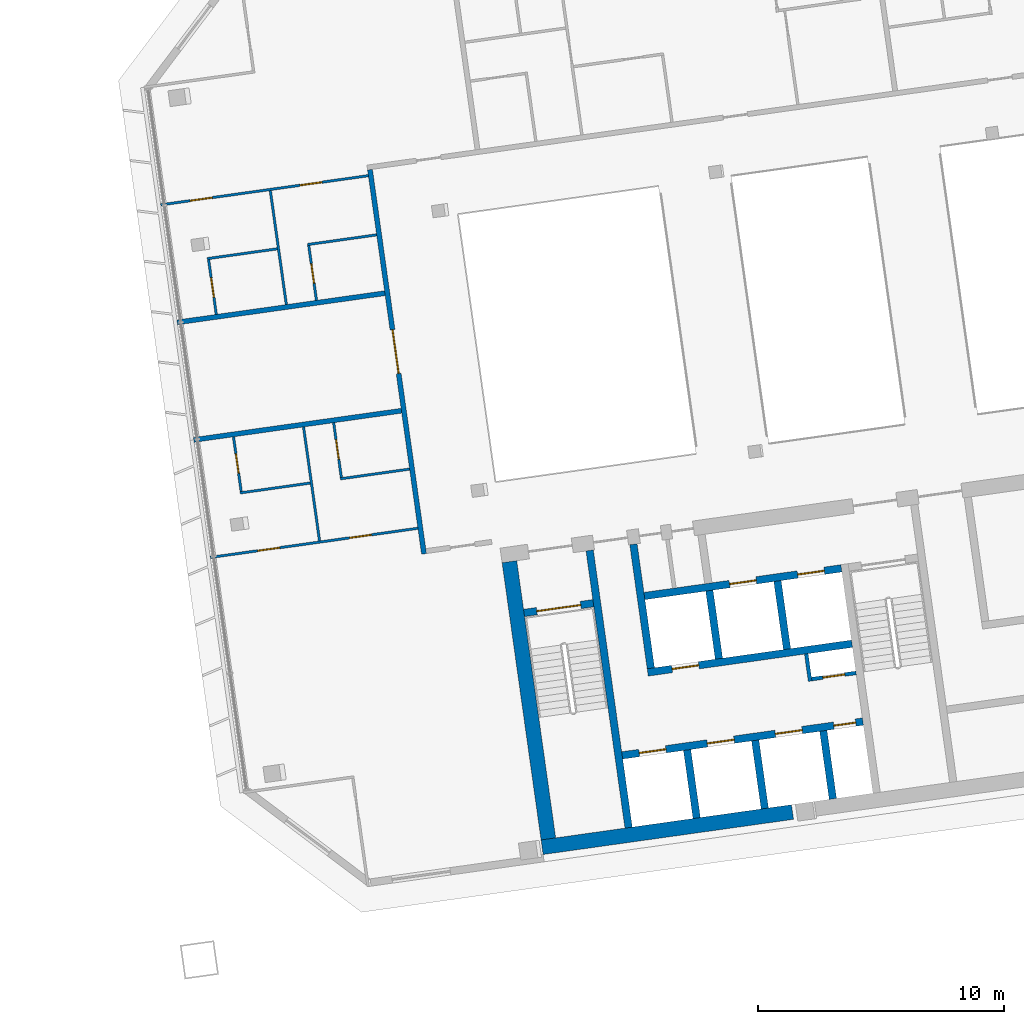
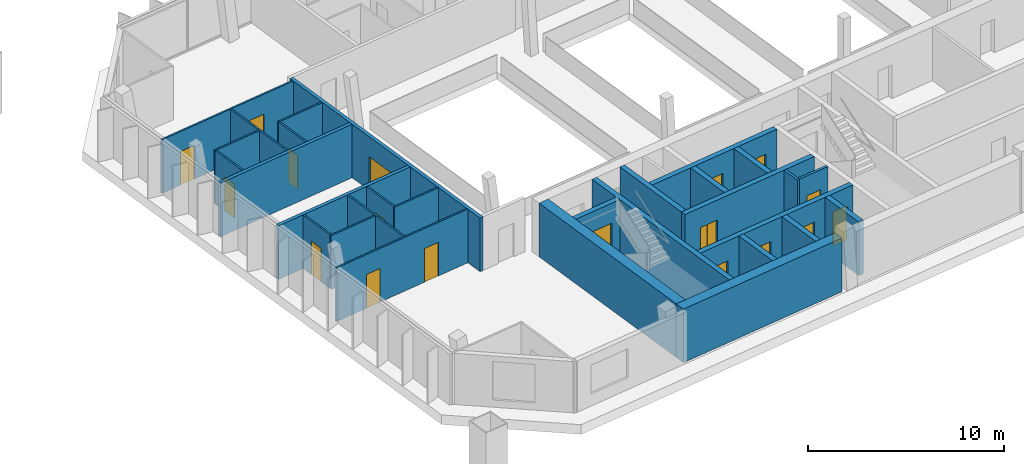
# One storey, part 19 of 26: 30 walls, 18 doors, 18 openings.
"""IFC4 building model written with IfcOpenShell, lengths in metres."""

import ifcopenshell
import ifcopenshell.guid

model = None  # the IFC model being written
_history = None  # IfcOwnerHistory: only IFC2X3 demands one
_inside = {}  # id of a spatial element -> (the spatial element, [elements in it])
_under = {}  # id of a project, library or spatial element -> (it, [spatial elements below it])
_declared = {}  # id of a project -> (the project, [libraries it declares])
_typed = {}  # id of a type object -> (the type object, [elements of that type])
_made_of = {}  # id of a material, layer set ... -> (it, [elements and type objects made of it])


def new_model(schema):
    """Start an empty IFC model of exactly this schema.

    Asked for "IFC4X3", IfcOpenShell would pick the latest addendum, in which some entities
    have other attributes; the version numbers below select the first issue.
    IFC2X3 requires an IfcOwnerHistory on every rooted entity: one is made here for all.
    """
    global model, _history
    if schema == "IFC4X3":
        model = ifcopenshell.file(schema_version=(4, 3, 0, 0))
    else:
        model = ifcopenshell.file(schema=schema)
    _inside.clear()
    _under.clear()
    _declared.clear()
    _typed.clear()
    _made_of.clear()
    _history = None
    if model.schema == "IFC2X3":
        org = make("IfcOrganization", Name="unknown")
        user = make(
            "IfcPersonAndOrganization",
            ThePerson=make("IfcPerson", FamilyName="unknown"),
            TheOrganization=org,
        )
        app = make(
            "IfcApplication",
            ApplicationDeveloper=org,
            Version="unknown",
            ApplicationFullName="unknown",
            ApplicationIdentifier="unknown",
        )
        _history = make(
            "IfcOwnerHistory",
            OwningUser=user,
            OwningApplication=app,
            ChangeAction="ADDED",
            CreationDate=0,
        )
    return model


def make(cls, **values):
    """One entity of the class cls with the attributes given. An attribute that is None is left unset."""
    return model.create_entity(
        cls, **{name: value for name, value in values.items() if value is not None}
    )


def rooted(cls, **values):
    """An entity with a GlobalId (a new one), such as an element, a storey or a relation."""
    return make(cls, GlobalId=ifcopenshell.guid.new(), OwnerHistory=_history, **values)


def si_unit(unit_type, name, prefix=None):
    """IfcSIUnit, for example si_unit("LENGTHUNIT", "METRE", prefix="MILLI")."""
    return make("IfcSIUnit", UnitType=unit_type, Prefix=prefix, Name=name)


def assignment(units):
    """IfcUnitAssignment: the units of a project."""
    return None if units is None else make("IfcUnitAssignment", Units=units)


def point(xyz):
    """IfcCartesianPoint."""
    return None if xyz is None else make("IfcCartesianPoint", Coordinates=xyz)


def direction(xyz):
    """IfcDirection."""
    return None if xyz is None else make("IfcDirection", DirectionRatios=xyz)


def frame(location, z_axis=None, x_axis=None):
    """IfcAxis2Placement3D, a coordinate frame: its origin and axes. An axis left out is left unset."""
    return make(
        "IfcAxis2Placement3D",
        Location=point(location),
        Axis=direction(z_axis),
        RefDirection=direction(x_axis),
    )


def frame_2d(location, x_axis=None):
    """IfcAxis2Placement2D, a coordinate frame in the plane: its origin and x axis."""
    return make(
        "IfcAxis2Placement2D", Location=point(location), RefDirection=direction(x_axis)
    )


def origin():
    """The frame at (0, 0, 0) with its axes left unset."""
    return frame((0.0, 0.0, 0.0))


def place(relative_to, where):
    """IfcLocalPlacement: puts the frame where relative to a parent placement (None: the world)."""
    return make(
        "IfcLocalPlacement", PlacementRelTo=relative_to, RelativePlacement=where
    )


def context(
    kind, dimensions, precision=None, world=None, true_north=None, identifier=None
):
    """IfcGeometricRepresentationContext, for example the 3D "Model" context."""
    return make(
        "IfcGeometricRepresentationContext",
        ContextIdentifier=identifier,
        ContextType=kind,
        CoordinateSpaceDimension=dimensions,
        Precision=precision,
        WorldCoordinateSystem=world,
        TrueNorth=true_north,
    )


def subcontext(parent, identifier, kind, view, scale=None):
    """IfcGeometricRepresentationSubContext, for example "Body" below "Model"."""
    return make(
        "IfcGeometricRepresentationSubContext",
        ContextIdentifier=identifier,
        ContextType=kind,
        ParentContext=parent,
        TargetScale=scale,
        TargetView=view,
    )


def project(units=None, contexts=None):
    """IfcProject with its units and contexts."""
    return rooted(
        "IfcProject",
        Name="project",
        RepresentationContexts=contexts,
        UnitsInContext=assignment(units),
    )


def spatial(cls, under=None, at=None, **own):
    """A site, building, storey or space (cls), placed at a placement, below another one or the project."""
    s = rooted(cls, ObjectPlacement=at, **own)
    if under is not None:
        _under.setdefault(under.id(), (under, []))[1].append(s)
    return s


def profile(cls, at=None, kind="AREA", **sizes):
    """A parametric profile (cls). Its sizes go by their IFC names, for example OverallWidth=200.0."""
    return make(cls, ProfileType=kind, Position=at, **sizes)


def rectangle(**sizes):
    """IfcRectangleProfileDef."""
    return profile("IfcRectangleProfileDef", **sizes)


def extrude(swept, where, along, depth):
    """IfcExtrudedAreaSolid: the profile swept, set in the frame where, extruded along a direction by depth."""
    return make(
        "IfcExtrudedAreaSolid",
        SweptArea=swept,
        Position=where,
        ExtrudedDirection=direction(along),
        Depth=depth,
    )


def shape(context_of_items, identifier, shape_type, items):
    """IfcShapeRepresentation: the items that make up one representation, for example the "Body"."""
    return make(
        "IfcShapeRepresentation",
        ContextOfItems=context_of_items,
        RepresentationIdentifier=identifier,
        RepresentationType=shape_type,
        Items=items,
    )


def material(Name=None, Category=None):
    """IfcMaterial."""
    return make("IfcMaterial", Name=Name, Category=Category)


def layer(
    of_material, thickness, ventilated=None, Name=None, Category=None, Priority=None
):
    """IfcMaterialLayer: one layer of a wall or slab, of a material (None: an air gap)."""
    return make(
        "IfcMaterialLayer",
        Material=of_material,
        LayerThickness=thickness,
        IsVentilated=ventilated,
        Name=Name,
        Category=Category,
        Priority=Priority,
    )


def layer_set(layers, Name=None):
    """IfcMaterialLayerSet."""
    return make("IfcMaterialLayerSet", MaterialLayers=layers, LayerSetName=Name)


def made_of(thing, what):
    """Note that an element or type object is made of a material, layer set ...; save() writes the relation."""
    if what is not None:
        _made_of.setdefault(what.id(), (what, []))[1].append(thing)
    return thing


def type_object(cls, material=None, **own):
    """A type object (cls), such as IfcWallType, which elements share."""
    return made_of(rooted(cls, **own), material)


def element(
    cls,
    number,
    at=None,
    inside=None,
    cuts=None,
    type_object=None,
    material=None,
    context=None,
    identifier="Body",
    shape_type=None,
    held_by="IfcProductDefinitionShape",
    body=None,
    shapes=None,
    **own,
):
    """One element of the class cls, such as IfcWall. Its Tag is "e" and its number.

    at: its placement. inside: the storey or other place that contains it. cuts: it is an
    opening in that element (IfcRelVoidsElement). A single representation is given by context,
    identifier, shape_type and body (its items); several are given by shapes. held_by: the class
    of the entity that holds the representations. save() writes the other relations.
    """
    e = rooted(cls, Tag="e%d" % number, ObjectPlacement=at, **own)
    if body is not None:
        shapes = [shape(context, identifier, shape_type, body)]
    if shapes is not None:
        e.Representation = make(held_by, Representations=shapes)
    if inside is not None:
        _inside.setdefault(inside.id(), (inside, []))[1].append(e)
    if cuts is not None:
        rooted(
            "IfcRelVoidsElement", RelatingBuildingElement=cuts, RelatedOpeningElement=e
        )
    if type_object is not None:
        _typed.setdefault(type_object.id(), (type_object, []))[1].append(e)
    return made_of(e, material)


def fill(opening, filler):
    """IfcRelFillsElement: the door or window that sits in an opening."""
    return rooted(
        "IfcRelFillsElement",
        RelatingOpeningElement=opening,
        RelatedBuildingElement=filler,
    )


def aggregate(whole, parts):
    """IfcRelAggregates: a whole, such as a stair, and the parts it consists of."""
    return rooted("IfcRelAggregates", RelatingObject=whole, RelatedObjects=parts)


def save(model, path):
    """Write the relations noted so far, then the file.

    IfcRelAggregates (storeys below a building ...), IfcRelContainedInSpatialStructure (elements
    in a storey), IfcRelDefinesByType, IfcRelAssociatesMaterial and IfcRelDeclares: one each for
    every whole, place, type object, material and project.
    """
    for whole, parts in _under.values():
        aggregate(whole, parts)
    for where, things in _inside.values():
        rooted(
            "IfcRelContainedInSpatialStructure",
            RelatedElements=things,
            RelatingStructure=where,
        )
    for kind, things in _typed.values():
        rooted("IfcRelDefinesByType", RelatedObjects=things, RelatingType=kind)
    for what, things in _made_of.values():
        rooted("IfcRelAssociatesMaterial", RelatedObjects=things, RelatingMaterial=what)
    for by, libraries in _declared.values():
        rooted("IfcRelDeclares", RelatingContext=by, RelatedDefinitions=libraries)
    model.write(path)


model = new_model("IFC4")

# Units and contexts
model_context = context("Model", 3, precision=1e-05, world=origin(), true_north=direction((0.0, 1.0)))
body_context = subcontext(model_context, "Body", "Model", "MODEL_VIEW")
ifc_project = project(units=[si_unit("LENGTHUNIT", "METRE"), si_unit("AREAUNIT", "SQUARE_METRE"), si_unit("VOLUMEUNIT", "CUBIC_METRE"), si_unit("PLANEANGLEUNIT", "RADIAN"), si_unit("MASSUNIT", "GRAM", prefix="KILO")], contexts=[model_context])

# Site, building, storey
site_placement = place(None, origin())
site = spatial("IfcSite", under=ifc_project, at=site_placement, CompositionType="ELEMENT")
building_placement = place(site_placement, origin())
building = spatial("IfcBuilding", under=site, at=building_placement, Name="Mirante Cascada Hotel Towers", CompositionType="ELEMENT")
storey_placement = place(building_placement, frame((0.0, 0.0, 228.0)))
storey = spatial("IfcBuildingStorey", under=building, at=storey_placement, Name="L54", CompositionType="ELEMENT", Elevation=228.0)

# Walls
ifc_material_1 = material(Name="Fire-rated plasterboard on metal studs")
ifc_layer_1 = layer(ifc_material_1, 0.2)
ifc_layer_set_1 = layer_set([ifc_layer_1], Name="Compartment wall 200 EI 120")
wall_type_1 = type_object("IfcWallType", Name="Compartment wall 200 EI 120", PredefinedType="PARTITIONING", material=ifc_layer_set_1)
for number, where, z_axis, x_axis, name in (
    (1, (23.1292, -2.9656, 0.0), (0.0, 0.0, 1.0), (0.9902681, 0.139173, 0.0), "Wall 2-L54-09"),
    (2, (30.9118, 3.0089, 0.0), (0.0, 0.0, 1.0), (-0.9902681, -0.139173, 0.0), "Wall 2-L54-10"),
):
    element("IfcWall", number, at=place(storey_placement, frame(where, z_axis=z_axis, x_axis=x_axis)), inside=storey, type_object=wall_type_1, Name=name, PredefinedType="PARTITIONING", context=body_context, shape_type="SweptSolid", body=[
        extrude(rectangle(XDim=8.5383, YDim=0.2, at=frame_2d((4.2692, 0.0))), origin(), (0.0, 0.0, 1.0), 3.35),
    ])

# Wall, opening, door
wall_1_placement = place(storey_placement, frame((30.3056, 8.0402, 0.0), z_axis=(0.0, 0.0, 1.0), x_axis=(0.1391774, -0.9902675, 0.0)))
wall_1 = element("IfcWall", 3, at=wall_1_placement, inside=storey, type_object=wall_type_1, Name="Wall 2-L54-36", PredefinedType="PARTITIONING", context=body_context, shape_type="SweptSolid", body=[
    extrude(rectangle(XDim=15.8, YDim=0.2, at=frame_2d((7.9, 0.0))), origin(), (0.0, 0.0, 1.0), 3.35),
])
opening_1_placement = place(wall_1_placement, frame((6.5834, 0.0, 0.0)))
opening_1 = element("IfcOpeningElement", 4, at=opening_1_placement, cuts=wall_1, Name="Opening D2-L54-23", PredefinedType="OPENING", context=body_context, shape_type="SweptSolid", body=[
    extrude(rectangle(XDim=1.8, YDim=2.1, at=frame_2d((0.9, 1.05))), frame((0.0, 0.1, 0.0), z_axis=(0.0, -1.0, 0.0), x_axis=(1.0, 0.0, 0.0)), (0.0, 0.0, 1.0), 0.2),
])
ifc_material_2 = material(Name="Fire-rated timber door leaf", Category="wood")
door_type_1 = type_object("IfcDoorType", Name="Suite double door DG2 1800x2100 EI 60", OperationType="DOUBLE_DOOR_SINGLE_SWING", PredefinedType="DOOR", material=ifc_material_2)
door_1_placement = place(opening_1_placement, origin())
door_1 = element("IfcDoor", 5, at=door_1_placement, inside=storey, type_object=door_type_1, Name="Door D2-L54-23", OperationType="DOUBLE_DOOR_SINGLE_SWING", OverallHeight=2.1, OverallWidth=1.8, PredefinedType="DOOR", context=body_context, shape_type="SweptSolid", body=[
    extrude(rectangle(XDim=0.895, YDim=2.1, at=frame_2d((0.4475, 1.05))), frame((0.0, 0.025, 0.0), z_axis=(0.0, -1.0, 0.0), x_axis=(1.0, 0.0, 0.0)), (0.0, 0.0, 1.0), 0.05),
    extrude(rectangle(XDim=0.895, YDim=2.1, at=frame_2d((1.3525, 1.05))), frame((0.0, 0.025, 0.0), z_axis=(0.0, -1.0, 0.0), x_axis=(1.0, 0.0, 0.0)), (0.0, 0.0, 1.0), 0.05),
])
fill(opening_1, door_1)

# Wall
ifc_material_3 = material(Name="Masonry block", Category="masonry")
ifc_layer_2 = layer(ifc_material_3, 0.15)
ifc_layer_set_2 = layer_set([ifc_layer_2], Name="Core room partition 150 block EI 30")
wall_type_2 = type_object("IfcWallType", Name="Core room partition 150 block EI 30", PredefinedType="PARTITIONING", material=ifc_layer_set_2)
wall_2_placement = place(storey_placement, frame((48.2295, -12.793, 0.0), z_axis=(0.0, 0.0, 1.0), x_axis=(-0.1391935, 0.9902652, 0.0)))
element("IfcWall", 6, at=wall_2_placement, inside=storey, type_object=wall_type_2, Name="Core wall partition T2 L54 2", PredefinedType="PARTITIONING", context=body_context, shape_type="SweptSolid", body=[
    extrude(rectangle(XDim=1.1251, YDim=0.15, at=frame_2d((0.5626, 0.0))), origin(), (0.0, 0.0, 1.0), 3.35),
])

# Wall, opening, door
wall_3_placement = place(storey_placement, frame((48.2933, -12.7083, 0.0), z_axis=(0.0, 0.0, 1.0), x_axis=(0.990268, 0.1391734, 0.0)))
wall_3 = element("IfcWall", 7, at=wall_3_placement, inside=storey, type_object=wall_type_2, Name="Core wall partition T2 L54 3", PredefinedType="PARTITIONING", context=body_context, shape_type="SweptSolid", body=[
    extrude(rectangle(XDim=1.8251, YDim=0.15, at=frame_2d((0.9126, 0.0))), origin(), (0.0, 0.0, 1.0), 3.35),
])
opening_2_placement = place(wall_3_placement, frame((0.4625, 0.0, 0.0)))
opening_2 = element("IfcOpeningElement", 8, at=opening_2_placement, cuts=wall_3, Name="Opening D2-54-C15", PredefinedType="OPENING", context=body_context, shape_type="SweptSolid", body=[
    extrude(rectangle(XDim=0.9, YDim=2.1, at=frame_2d((0.45, 1.05))), frame((0.0, 0.075, 0.0), z_axis=(0.0, -1.0, 0.0), x_axis=(1.0, 0.0, 0.0)), (0.0, 0.0, 1.0), 0.15),
])
ifc_material_4 = material(Name="Hollow metal fire door leaf")
door_type_2 = type_object("IfcDoorType", Name="Fire door 900x2100 FD60", OperationType="NOTDEFINED", PredefinedType="DOOR", material=ifc_material_4)
door_2_placement = place(opening_2_placement, frame((0.9, 0.0, 0.0), z_axis=(0.0, 0.0, 1.0), x_axis=(-1.0, 0.0, 0.0)))
door_2 = element("IfcDoor", 9, at=door_2_placement, inside=storey, type_object=door_type_2, Name="Riser door T2 L54 15", OperationType="SINGLE_SWING_RIGHT", OverallHeight=2.1, OverallWidth=0.9, PredefinedType="DOOR", context=body_context, shape_type="SweptSolid", body=[
    extrude(rectangle(XDim=0.9, YDim=2.1, at=frame_2d((0.45, 1.05))), frame((0.0, 0.025, 0.0), z_axis=(0.0, -1.0, 0.0), x_axis=(1.0, 0.0, 0.0)), (0.0, 0.0, 1.0), 0.05),
])
fill(opening_2, door_2)

# Wall, openings, doors
ifc_material_5 = material(Name="Plasterboard on metal studs")
ifc_layer_3 = layer(ifc_material_5, 0.1)
ifc_layer_set_3 = layer_set([ifc_layer_3], Name="Partition 100")
wall_type_3 = type_object("IfcWallType", Name="Partition 100", PredefinedType="PARTITIONING", material=ifc_layer_set_3)
wall_4_placement = place(storey_placement, frame((23.8019, -7.7519, 0.0), z_axis=(0.0, 0.0, 1.0), x_axis=(0.9902681, 0.139173, 0.0)))
wall_4 = element("IfcWall", 10, at=wall_4_placement, inside=storey, type_object=wall_type_3, Name="Wall 2-L54-05", PredefinedType="PARTITIONING", context=body_context, shape_type="SweptSolid", body=[
    extrude(rectangle(XDim=8.5383, YDim=0.1, at=frame_2d((4.2692, 0.0))), origin(), (0.0, 0.0, 1.0), 3.35),
])
opening_3_placement = place(wall_4_placement, frame((1.95, 0.0, 0.0)))
opening_3 = element("IfcOpeningElement", 11, at=opening_3_placement, cuts=wall_4, Name="Opening D2-L54-02", PredefinedType="OPENING", context=body_context, shape_type="SweptSolid", body=[
    extrude(rectangle(XDim=0.9, YDim=2.1, at=frame_2d((0.45, 1.05))), frame((0.0, 0.05, 0.0), z_axis=(0.0, -1.0, 0.0), x_axis=(1.0, 0.0, 0.0)), (0.0, 0.0, 1.0), 0.1),
])
opening_4_placement = place(wall_4_placement, frame((5.7287, 0.0, 0.0)))
opening_4 = element("IfcOpeningElement", 12, at=opening_4_placement, cuts=wall_4, Name="Opening D2-L54-03", PredefinedType="OPENING", context=body_context, shape_type="SweptSolid", body=[
    extrude(rectangle(XDim=0.9, YDim=2.1, at=frame_2d((0.45, 1.05))), frame((0.0, 0.05, 0.0), z_axis=(0.0, -1.0, 0.0), x_axis=(1.0, 0.0, 0.0)), (0.0, 0.0, 1.0), 0.1),
])
ifc_material_6 = material(Name="Timber door leaf", Category="wood")
door_type_3 = type_object("IfcDoorType", Name="Room door DG3 900x2100", OperationType="SINGLE_SWING_LEFT", PredefinedType="DOOR", material=ifc_material_6)
door_3_placement = place(opening_3_placement, frame((0.9, 0.0, 0.0), z_axis=(0.0, 0.0, 1.0), x_axis=(-1.0, 0.0, 0.0)))
door_3 = element("IfcDoor", 13, at=door_3_placement, inside=storey, type_object=door_type_3, Name="Door D2-L54-02", OperationType="SINGLE_SWING_RIGHT", OverallHeight=2.1, OverallWidth=0.9, PredefinedType="DOOR", context=body_context, shape_type="SweptSolid", body=[
    extrude(rectangle(XDim=0.9, YDim=2.1, at=frame_2d((0.45, 1.05))), frame((0.0, 0.025, 0.0), z_axis=(0.0, -1.0, 0.0), x_axis=(1.0, 0.0, 0.0)), (0.0, 0.0, 1.0), 0.05),
])
fill(opening_3, door_3)
door_4_placement = place(opening_4_placement, frame((0.9, 0.0, 0.0), z_axis=(0.0, 0.0, 1.0), x_axis=(-1.0, 0.0, 0.0)))
door_4 = element("IfcDoor", 14, at=door_4_placement, inside=storey, type_object=door_type_3, Name="Door D2-L54-03", OperationType="SINGLE_SWING_RIGHT", OverallHeight=2.1, OverallWidth=0.9, PredefinedType="DOOR", context=body_context, shape_type="SweptSolid", body=[
    extrude(rectangle(XDim=0.9, YDim=2.1, at=frame_2d((0.45, 1.05))), frame((0.0, 0.025, 0.0), z_axis=(0.0, -1.0, 0.0), x_axis=(1.0, 0.0, 0.0)), (0.0, 0.0, 1.0), 0.05),
])
fill(opening_4, door_4)

# Walls
wall_5_placement = place(storey_placement, frame((25.0172, -5.1239, 0.0), z_axis=(0.0, 0.0, 1.0), x_axis=(0.9902643, 0.1392, 0.0)))
element("IfcWall", 15, at=wall_5_placement, inside=storey, type_object=wall_type_3, Name="Wall 2-L54-07", PredefinedType="PARTITIONING", context=body_context, shape_type="SweptSolid", body=[
    extrude(rectangle(XDim=2.8807, YDim=0.1, at=frame_2d((1.4404, 0.0))), origin(), (0.0, 0.0, 1.0), 3.35),
])
wall_6_placement = place(storey_placement, frame((31.9184, -4.154, 0.0), z_axis=(0.0, 0.0, 1.0), x_axis=(-0.9902697, -0.1391613, 0.0)))
element("IfcWall", 16, at=wall_6_placement, inside=storey, type_object=wall_type_3, Name="Wall 2-L54-08", PredefinedType="PARTITIONING", context=body_context, shape_type="SweptSolid", body=[
    extrude(rectangle(XDim=2.8499, YDim=0.1, at=frame_2d((1.425, 0.0))), origin(), (0.0, 0.0, 1.0), 3.35),
])
wall_7_placement = place(storey_placement, frame((26.5292, 4.8166, 0.0), z_axis=(0.0, 0.0, 1.0), x_axis=(-0.9902691, -0.139166, 0.0)))
element("IfcWall", 17, at=wall_7_placement, inside=storey, type_object=wall_type_3, Name="Wall 2-L54-12", PredefinedType="PARTITIONING", context=body_context, shape_type="SweptSolid", body=[
    extrude(rectangle(XDim=2.8807, YDim=0.1, at=frame_2d((1.4404, 0.0))), origin(), (0.0, 0.0, 1.0), 3.35),
])
wall_8_placement = place(storey_placement, frame((27.7555, 4.9889, 0.0), z_axis=(0.0, 0.0, 1.0), x_axis=(0.9902649, 0.1391957, 0.0)))
element("IfcWall", 18, at=wall_8_placement, inside=storey, type_object=wall_type_3, Name="Wall 2-L54-13", PredefinedType="PARTITIONING", context=body_context, shape_type="SweptSolid", body=[
    extrude(rectangle(XDim=2.8499, YDim=0.1, at=frame_2d((1.425, 0.0))), origin(), (0.0, 0.0, 1.0), 3.35),
])

# Wall, openings, doors
wall_9_placement = place(storey_placement, frame((30.2391, 7.7953, 0.0), z_axis=(0.0, 0.0, 1.0), x_axis=(-0.9902681, -0.139173, 0.0)))
wall_9 = element("IfcWall", 19, at=wall_9_placement, inside=storey, type_object=wall_type_3, Name="Wall 2-L54-16", PredefinedType="PARTITIONING", context=body_context, shape_type="SweptSolid", body=[
    extrude(rectangle(XDim=8.5383, YDim=0.1, at=frame_2d((4.2692, 0.0))), origin(), (0.0, 0.0, 1.0), 3.35),
])
opening_5_placement = place(wall_9_placement, frame((6.4287, 0.0, 0.0)))
opening_5 = element("IfcOpeningElement", 20, at=opening_5_placement, cuts=wall_9, Name="Opening D2-L54-04", PredefinedType="OPENING", context=body_context, shape_type="SweptSolid", body=[
    extrude(rectangle(XDim=0.9, YDim=2.1, at=frame_2d((0.45, 1.05))), frame((0.0, 0.05, 0.0), z_axis=(0.0, -1.0, 0.0), x_axis=(1.0, 0.0, 0.0)), (0.0, 0.0, 1.0), 0.1),
])
opening_6_placement = place(wall_9_placement, frame((1.9096, 0.0, 0.0)))
opening_6 = element("IfcOpeningElement", 21, at=opening_6_placement, cuts=wall_9, Name="Opening D2-L54-05", PredefinedType="OPENING", context=body_context, shape_type="SweptSolid", body=[
    extrude(rectangle(XDim=0.9, YDim=2.1, at=frame_2d((0.45, 1.05))), frame((0.0, 0.05, 0.0), z_axis=(0.0, -1.0, 0.0), x_axis=(1.0, 0.0, 0.0)), (0.0, 0.0, 1.0), 0.1),
])
door_5_placement = place(opening_5_placement, frame((0.9, 0.0, 0.0), z_axis=(0.0, 0.0, 1.0), x_axis=(-1.0, 0.0, 0.0)))
door_5 = element("IfcDoor", 22, at=door_5_placement, inside=storey, type_object=door_type_3, Name="Door D2-L54-04", OperationType="SINGLE_SWING_RIGHT", OverallHeight=2.1, OverallWidth=0.9, PredefinedType="DOOR", context=body_context, shape_type="SweptSolid", body=[
    extrude(rectangle(XDim=0.9, YDim=2.1, at=frame_2d((0.45, 1.05))), frame((0.0, 0.025, 0.0), z_axis=(0.0, -1.0, 0.0), x_axis=(1.0, 0.0, 0.0)), (0.0, 0.0, 1.0), 0.05),
])
fill(opening_5, door_5)
door_6_placement = place(opening_6_placement, frame((0.9, 0.0, 0.0), z_axis=(0.0, 0.0, 1.0), x_axis=(-1.0, 0.0, 0.0)))
door_6 = element("IfcDoor", 23, at=door_6_placement, inside=storey, type_object=door_type_3, Name="Door D2-L54-05", OperationType="SINGLE_SWING_RIGHT", OverallHeight=2.1, OverallWidth=0.9, PredefinedType="DOOR", context=body_context, shape_type="SweptSolid", body=[
    extrude(rectangle(XDim=0.9, YDim=2.1, at=frame_2d((0.45, 1.05))), frame((0.0, 0.025, 0.0), z_axis=(0.0, -1.0, 0.0), x_axis=(1.0, 0.0, 0.0)), (0.0, 0.0, 1.0), 0.05),
])
fill(opening_6, door_6)

# Wall, opening, door
wall_10_placement = place(storey_placement, frame((24.7466, -2.8393, 0.0), z_axis=(0.0, 0.0, 1.0), x_axis=(0.1391561, -0.9902705, 0.0)))
wall_10 = element("IfcWall", 24, at=wall_10_placement, inside=storey, type_object=wall_type_3, Name="Wall 2-L54-28", PredefinedType="PARTITIONING", context=body_context, shape_type="SweptSolid", body=[
    extrude(rectangle(XDim=2.25, YDim=0.1, at=frame_2d((1.125, 0.0))), origin(), (0.0, 0.0, 1.0), 3.35),
])
opening_7_placement = place(wall_10_placement, frame((0.7, 0.0, 0.0)))
opening_7 = element("IfcOpeningElement", 25, at=opening_7_placement, cuts=wall_10, Name="Opening D2-L54-17", PredefinedType="OPENING", context=body_context, shape_type="SweptSolid", body=[
    extrude(rectangle(XDim=0.8, YDim=2.1, at=frame_2d((0.4, 1.05))), frame((0.0, 0.05, 0.0), z_axis=(0.0, -1.0, 0.0), x_axis=(1.0, 0.0, 0.0)), (0.0, 0.0, 1.0), 0.1),
])
ifc_material_7 = material(Name="Timber door leaf", Category="wood")
door_type_4 = type_object("IfcDoorType", Name="Bathroom door DG4 800x2100", OperationType="SINGLE_SWING_LEFT", PredefinedType="DOOR", material=ifc_material_7)
door_7_placement = place(opening_7_placement, origin())
door_7 = element("IfcDoor", 26, at=door_7_placement, inside=storey, type_object=door_type_4, Name="Door D2-L54-17", OperationType="SINGLE_SWING_LEFT", OverallHeight=2.1, OverallWidth=0.8, PredefinedType="DOOR", context=body_context, shape_type="SweptSolid", body=[
    extrude(rectangle(XDim=0.8, YDim=2.1, at=frame_2d((0.4, 1.05))), frame((0.0, 0.025, 0.0), z_axis=(0.0, -1.0, 0.0), x_axis=(1.0, 0.0, 0.0)), (0.0, 0.0, 1.0), 0.05),
])
fill(opening_7, door_7)

wall_11_placement = place(storey_placement, frame((24.0461, 2.145, 0.0), z_axis=(0.0, 0.0, 1.0), x_axis=(-0.1391997, 0.9902643, 0.0)))
wall_11 = element("IfcWall", 27, at=wall_11_placement, inside=storey, type_object=wall_type_3, Name="Wall 2-L54-29", PredefinedType="PARTITIONING", context=body_context, shape_type="SweptSolid", body=[
    extrude(rectangle(XDim=2.25, YDim=0.1, at=frame_2d((1.125, 0.0))), origin(), (0.0, 0.0, 1.0), 3.35),
])
opening_8_placement = place(wall_11_placement, frame((0.7, 0.0, 0.0)))
opening_8 = element("IfcOpeningElement", 28, at=opening_8_placement, cuts=wall_11, Name="Opening D2-L54-18", PredefinedType="OPENING", context=body_context, shape_type="SweptSolid", body=[
    extrude(rectangle(XDim=0.8, YDim=2.1, at=frame_2d((0.4, 1.05))), frame((0.0, 0.05, 0.0), z_axis=(0.0, -1.0, 0.0), x_axis=(1.0, 0.0, 0.0)), (0.0, 0.0, 1.0), 0.1),
])
door_8_placement = place(opening_8_placement, frame((0.8, 0.0, 0.0), z_axis=(0.0, 0.0, 1.0), x_axis=(-1.0, 0.0, 0.0)))
door_8 = element("IfcDoor", 29, at=door_8_placement, inside=storey, type_object=door_type_4, Name="Door D2-L54-18", OperationType="SINGLE_SWING_RIGHT", OverallHeight=2.1, OverallWidth=0.8, PredefinedType="DOOR", context=body_context, shape_type="SweptSolid", body=[
    extrude(rectangle(XDim=0.8, YDim=2.1, at=frame_2d((0.4, 1.05))), frame((0.0, 0.025, 0.0), z_axis=(0.0, -1.0, 0.0), x_axis=(1.0, 0.0, 0.0)), (0.0, 0.0, 1.0), 0.05),
])
fill(opening_8, door_8)

# Walls
wall_12_placement = place(storey_placement, frame((28.2511, -7.0761, 0.0), z_axis=(0.0, 0.0, 1.0), x_axis=(-0.139176, 0.9902677, 0.0)))
element("IfcWall", 30, at=wall_12_placement, inside=storey, type_object=wall_type_3, Name="Wall 2-L54-31", PredefinedType="PARTITIONING", context=body_context, shape_type="SweptSolid", body=[
    extrude(rectangle(XDim=4.6833, YDim=0.1, at=frame_2d((2.3416, 0.0))), origin(), (0.0, 0.0, 1.0), 3.35),
])
wall_13_placement = place(storey_placement, frame((26.247, 7.1838, 0.0), z_axis=(0.0, 0.0, 1.0), x_axis=(0.1391701, -0.9902685, 0.0)))
element("IfcWall", 31, at=wall_13_placement, inside=storey, type_object=wall_type_3, Name="Wall 2-L54-32", PredefinedType="PARTITIONING", context=body_context, shape_type="SweptSolid", body=[
    extrude(rectangle(XDim=4.6835, YDim=0.1, at=frame_2d((2.3418, 0.0))), origin(), (0.0, 0.0, 1.0), 3.35),
])

# Wall, opening, door
wall_14_placement = place(storey_placement, frame((28.8256, -2.266, 0.0), z_axis=(0.0, 0.0, 1.0), x_axis=(0.1391561, -0.9902705, 0.0)))
wall_14 = element("IfcWall", 32, at=wall_14_placement, inside=storey, type_object=wall_type_3, Name="Wall 2-L54-34", PredefinedType="PARTITIONING", context=body_context, shape_type="SweptSolid", body=[
    extrude(rectangle(XDim=2.25, YDim=0.1, at=frame_2d((1.125, 0.0))), origin(), (0.0, 0.0, 1.0), 3.35),
])
opening_9_placement = place(wall_14_placement, frame((0.7, 0.0, 0.0)))
opening_9 = element("IfcOpeningElement", 33, at=opening_9_placement, cuts=wall_14, Name="Opening D2-L54-21", PredefinedType="OPENING", context=body_context, shape_type="SweptSolid", body=[
    extrude(rectangle(XDim=0.8, YDim=2.1, at=frame_2d((0.4, 1.05))), frame((0.0, 0.05, 0.0), z_axis=(0.0, -1.0, 0.0), x_axis=(1.0, 0.0, 0.0)), (0.0, 0.0, 1.0), 0.1),
])
door_9_placement = place(opening_9_placement, origin())
door_9 = element("IfcDoor", 34, at=door_9_placement, inside=storey, type_object=door_type_4, Name="Door D2-L54-21", OperationType="SINGLE_SWING_LEFT", OverallHeight=2.1, OverallWidth=0.8, PredefinedType="DOOR", context=body_context, shape_type="SweptSolid", body=[
    extrude(rectangle(XDim=0.8, YDim=2.1, at=frame_2d((0.4, 1.05))), frame((0.0, 0.025, 0.0), z_axis=(0.0, -1.0, 0.0), x_axis=(1.0, 0.0, 0.0)), (0.0, 0.0, 1.0), 0.05),
])
fill(opening_9, door_9)

wall_15_placement = place(storey_placement, frame((28.1251, 2.7183, 0.0), z_axis=(0.0, 0.0, 1.0), x_axis=(-0.1391561, 0.9902705, 0.0)))
wall_15 = element("IfcWall", 35, at=wall_15_placement, inside=storey, type_object=wall_type_3, Name="Wall 2-L54-35", PredefinedType="PARTITIONING", context=body_context, shape_type="SweptSolid", body=[
    extrude(rectangle(XDim=2.25, YDim=0.1, at=frame_2d((1.125, 0.0))), origin(), (0.0, 0.0, 1.0), 3.35),
])
opening_10_placement = place(wall_15_placement, frame((0.7, 0.0, 0.0)))
opening_10 = element("IfcOpeningElement", 36, at=opening_10_placement, cuts=wall_15, Name="Opening D2-L54-22", PredefinedType="OPENING", context=body_context, shape_type="SweptSolid", body=[
    extrude(rectangle(XDim=0.8, YDim=2.1, at=frame_2d((0.4, 1.05))), frame((0.0, 0.05, 0.0), z_axis=(0.0, -1.0, 0.0), x_axis=(1.0, 0.0, 0.0)), (0.0, 0.0, 1.0), 0.1),
])
door_10_placement = place(opening_10_placement, frame((0.8, 0.0, 0.0), z_axis=(0.0, 0.0, 1.0), x_axis=(-1.0, 0.0, 0.0)))
door_10 = element("IfcDoor", 37, at=door_10_placement, inside=storey, type_object=door_type_4, Name="Door D2-L54-22", OperationType="SINGLE_SWING_RIGHT", OverallHeight=2.1, OverallWidth=0.8, PredefinedType="DOOR", context=body_context, shape_type="SweptSolid", body=[
    extrude(rectangle(XDim=0.8, YDim=2.1, at=frame_2d((0.4, 1.05))), frame((0.0, 0.025, 0.0), z_axis=(0.0, -1.0, 0.0), x_axis=(1.0, 0.0, 0.0)), (0.0, 0.0, 1.0), 0.05),
])
fill(opening_10, door_10)

# Wall
ifc_material_8 = material(Name="Concrete C50/60", Category="concrete")
ifc_layer_4 = layer(ifc_material_8, 0.3)
ifc_layer_set_4 = layer_set([ifc_layer_4], Name="RC core wall 300 C50/60")
wall_type_4 = type_object("IfcWallType", Name="RC core wall 300 C50/60", PredefinedType="SHEAR", material=ifc_layer_set_4)
wall_16_placement = place(storey_placement, frame((40.8373, -18.7548, 0.0), z_axis=(0.0, 0.0, 1.0), x_axis=(-0.1391749, 0.9902678, 0.0)))
element("IfcWall", 38, at=wall_16_placement, inside=storey, type_object=wall_type_4, Name="Core wall T2:L54:5", PredefinedType="SHEAR", context=body_context, shape_type="SweptSolid", body=[
    extrude(rectangle(XDim=11.4, YDim=0.3, at=frame_2d((5.7, 0.0))), origin(), (0.0, 0.0, 1.0), 3.35),
])

# Wall, opening, door
wall_17_placement = place(storey_placement, frame((36.5791, -10.0123, 0.0), z_axis=(0.0, 0.0, 1.0), x_axis=(0.9902704, 0.1391564, 0.0)))
wall_17 = element("IfcWall", 39, at=wall_17_placement, inside=storey, type_object=wall_type_4, Name="Core wall T2:L54:8", PredefinedType="SHEAR", context=body_context, shape_type="SweptSolid", body=[
    extrude(rectangle(XDim=2.85, YDim=0.3, at=frame_2d((1.425, 0.0))), origin(), (0.0, 0.0, 1.0), 3.35),
])
opening_11_placement = place(wall_17_placement, frame((0.525, 0.0, 0.0)))
opening_11 = element("IfcOpeningElement", 40, at=opening_11_placement, cuts=wall_17, Name="Opening D2-54-C07", PredefinedType="OPENING", context=body_context, shape_type="SweptSolid", body=[
    extrude(rectangle(XDim=1.8, YDim=2.1, at=frame_2d((0.9, 1.05))), frame((0.0, 0.15, 0.0), z_axis=(0.0, -1.0, 0.0), x_axis=(1.0, 0.0, 0.0)), (0.0, 0.0, 1.0), 0.3),
])
ifc_material_9 = material(Name="Hollow metal fire door leaf")
door_type_5 = type_object("IfcDoorType", Name="Double fire door 1800x2100 FD60", OperationType="DOUBLE_DOOR_SINGLE_SWING", PredefinedType="DOOR", material=ifc_material_9)
door_11_placement = place(opening_11_placement, frame((1.8, 0.0, 0.0), z_axis=(0.0, 0.0, 1.0), x_axis=(-1.0, 0.0, 0.0)))
door_11 = element("IfcDoor", 41, at=door_11_placement, inside=storey, type_object=door_type_5, Name="Stair door T2 L54 7", OperationType="DOUBLE_DOOR_SINGLE_SWING", OverallHeight=2.1, OverallWidth=1.8, PredefinedType="DOOR", context=body_context, shape_type="SweptSolid", body=[
    extrude(rectangle(XDim=0.895, YDim=2.1, at=frame_2d((0.4475, 1.05))), frame((0.0, 0.025, 0.0), z_axis=(0.0, -1.0, 0.0), x_axis=(1.0, 0.0, 0.0)), (0.0, 0.0, 1.0), 0.05),
    extrude(rectangle(XDim=0.895, YDim=2.1, at=frame_2d((1.3525, 1.05))), frame((0.0, 0.025, 0.0), z_axis=(0.0, -1.0, 0.0), x_axis=(1.0, 0.0, 0.0)), (0.0, 0.0, 1.0), 0.05),
])
fill(opening_11, door_11)

# Wall, openings, doors
wall_18_placement = place(storey_placement, frame((40.5753, -15.8126, 0.0), z_axis=(0.0, 0.0, 1.0), x_axis=(0.9902682, 0.1391725, 0.0)))
wall_18 = element("IfcWall", 42, at=wall_18_placement, inside=storey, type_object=wall_type_4, Name="Core wall T2:L54:10", PredefinedType="SHEAR", context=body_context, shape_type="SweptSolid", body=[
    extrude(rectangle(XDim=9.8999, YDim=0.3, at=frame_2d((4.95, 0.0))), origin(), (0.0, 0.0, 1.0), 3.35),
])
opening_12_placement = place(wall_18_placement, frame((0.7, 0.0, 0.0)))
opening_12 = element("IfcOpeningElement", 43, at=opening_12_placement, cuts=wall_18, Name="Opening LD", PredefinedType="OPENING", context=body_context, shape_type="SweptSolid", body=[
    extrude(rectangle(XDim=1.1, YDim=2.1, at=frame_2d((0.55, 1.05))), frame((0.0, 0.15, 0.0), z_axis=(0.0, -1.0, 0.0), x_axis=(1.0, 0.0, 0.0)), (0.0, 0.0, 1.0), 0.3),
])
opening_13_placement = place(wall_18_placement, frame((3.5, 0.0, 0.0)))
opening_13 = element("IfcOpeningElement", 44, at=opening_13_placement, cuts=wall_18, Name="Opening LD", PredefinedType="OPENING", context=body_context, shape_type="SweptSolid", body=[
    extrude(rectangle(XDim=1.1, YDim=2.1, at=frame_2d((0.55, 1.05))), frame((0.0, 0.15, 0.0), z_axis=(0.0, -1.0, 0.0), x_axis=(1.0, 0.0, 0.0)), (0.0, 0.0, 1.0), 0.3),
])
opening_14_placement = place(wall_18_placement, frame((6.3, 0.0, 0.0)))
opening_14 = element("IfcOpeningElement", 45, at=opening_14_placement, cuts=wall_18, Name="Opening LD", PredefinedType="OPENING", context=body_context, shape_type="SweptSolid", body=[
    extrude(rectangle(XDim=1.1, YDim=2.1, at=frame_2d((0.55, 1.05))), frame((0.0, 0.15, 0.0), z_axis=(0.0, -1.0, 0.0), x_axis=(1.0, 0.0, 0.0)), (0.0, 0.0, 1.0), 0.3),
])
opening_15_placement = place(wall_18_placement, frame((8.7, 0.0, 0.0)))
opening_15 = element("IfcOpeningElement", 46, at=opening_15_placement, cuts=wall_18, Name="Opening D2-54-C14", PredefinedType="OPENING", context=body_context, shape_type="SweptSolid", body=[
    extrude(rectangle(XDim=0.9, YDim=2.1, at=frame_2d((0.45, 1.05))), frame((0.0, 0.15, 0.0), z_axis=(0.0, -1.0, 0.0), x_axis=(1.0, 0.0, 0.0)), (0.0, 0.0, 1.0), 0.3),
])
door_12_placement = place(opening_15_placement, frame((0.9, 0.0, 0.0), z_axis=(0.0, 0.0, 1.0), x_axis=(-1.0, 0.0, 0.0)))
door_12 = element("IfcDoor", 47, at=door_12_placement, inside=storey, type_object=door_type_2, Name="Riser door T2 L54 14", OperationType="SINGLE_SWING_RIGHT", OverallHeight=2.1, OverallWidth=0.9, PredefinedType="DOOR", context=body_context, shape_type="SweptSolid", body=[
    extrude(rectangle(XDim=0.9, YDim=2.1, at=frame_2d((0.45, 1.05))), frame((0.0, 0.025, 0.0), z_axis=(0.0, -1.0, 0.0), x_axis=(1.0, 0.0, 0.0)), (0.0, 0.0, 1.0), 0.05),
])
fill(opening_15, door_12)
ifc_material_10 = material(Name="Stainless steel", Category="steel")
door_type_6 = type_object("IfcDoorType", Name="Lift landing door 1100x2100 EI 120", OperationType="DOUBLE_DOOR_SLIDING", PredefinedType="DOOR", material=ifc_material_10)
door_13_placement = place(opening_12_placement, origin())
door_13 = element("IfcDoor", 48, at=door_13_placement, inside=storey, type_object=door_type_6, Name="Lift landing door HR2-1 L54", OperationType="DOUBLE_DOOR_SLIDING", OverallHeight=2.1, OverallWidth=1.1, PredefinedType="DOOR", context=body_context, shape_type="SweptSolid", body=[
    extrude(rectangle(XDim=0.545, YDim=2.1, at=frame_2d((0.2725, 1.05))), frame((0.0, 0.025, 0.0), z_axis=(0.0, -1.0, 0.0), x_axis=(1.0, 0.0, 0.0)), (0.0, 0.0, 1.0), 0.05),
    extrude(rectangle(XDim=0.545, YDim=2.1, at=frame_2d((0.8275, 1.05))), frame((0.0, 0.025, 0.0), z_axis=(0.0, -1.0, 0.0), x_axis=(1.0, 0.0, 0.0)), (0.0, 0.0, 1.0), 0.05),
])
fill(opening_12, door_13)
door_14_placement = place(opening_13_placement, origin())
door_14 = element("IfcDoor", 49, at=door_14_placement, inside=storey, type_object=door_type_6, Name="Lift landing door HR2-2 L54", OperationType="DOUBLE_DOOR_SLIDING", OverallHeight=2.1, OverallWidth=1.1, PredefinedType="DOOR", context=body_context, shape_type="SweptSolid", body=[
    extrude(rectangle(XDim=0.545, YDim=2.1, at=frame_2d((0.2725, 1.05))), frame((0.0, 0.025, 0.0), z_axis=(0.0, -1.0, 0.0), x_axis=(1.0, 0.0, 0.0)), (0.0, 0.0, 1.0), 0.05),
    extrude(rectangle(XDim=0.545, YDim=2.1, at=frame_2d((0.8275, 1.05))), frame((0.0, 0.025, 0.0), z_axis=(0.0, -1.0, 0.0), x_axis=(1.0, 0.0, 0.0)), (0.0, 0.0, 1.0), 0.05),
])
fill(opening_13, door_14)
door_15_placement = place(opening_14_placement, origin())
door_15 = element("IfcDoor", 50, at=door_15_placement, inside=storey, type_object=door_type_6, Name="Lift landing door HR2-3 L54", OperationType="DOUBLE_DOOR_SLIDING", OverallHeight=2.1, OverallWidth=1.1, PredefinedType="DOOR", context=body_context, shape_type="SweptSolid", body=[
    extrude(rectangle(XDim=0.545, YDim=2.1, at=frame_2d((0.2725, 1.05))), frame((0.0, 0.025, 0.0), z_axis=(0.0, -1.0, 0.0), x_axis=(1.0, 0.0, 0.0)), (0.0, 0.0, 1.0), 0.05),
    extrude(rectangle(XDim=0.545, YDim=2.1, at=frame_2d((0.8275, 1.05))), frame((0.0, 0.025, 0.0), z_axis=(0.0, -1.0, 0.0), x_axis=(1.0, 0.0, 0.0)), (0.0, 0.0, 1.0), 0.05),
])
fill(opening_14, door_15)

# Wall, opening, door
wall_19_placement = place(storey_placement, frame((41.6153, -12.435, 0.0), z_axis=(0.0, 0.0, 1.0), x_axis=(0.9902691, 0.139166, 0.0)))
wall_19 = element("IfcWall", 51, at=wall_19_placement, inside=storey, type_object=wall_type_4, Name="Core wall T2:L54:11", PredefinedType="SHEAR", context=body_context, shape_type="SweptSolid", body=[
    extrude(rectangle(XDim=8.4, YDim=0.3, at=frame_2d((4.2, 0.0))), origin(), (0.0, 0.0, 1.0), 3.35),
])
opening_16_placement = place(wall_19_placement, frame((1.0, 0.0, 0.0)))
opening_16 = element("IfcOpeningElement", 52, at=opening_16_placement, cuts=wall_19, Name="Opening LD", PredefinedType="OPENING", context=body_context, shape_type="SweptSolid", body=[
    extrude(rectangle(XDim=1.1, YDim=2.1, at=frame_2d((0.55, 1.05))), frame((0.0, 0.15, 0.0), z_axis=(0.0, -1.0, 0.0), x_axis=(1.0, 0.0, 0.0)), (0.0, 0.0, 1.0), 0.3),
])
door_16_placement = place(opening_16_placement, origin())
door_16 = element("IfcDoor", 53, at=door_16_placement, inside=storey, type_object=door_type_6, Name="Lift landing door HR2-4 L54", OperationType="DOUBLE_DOOR_SLIDING", OverallHeight=2.1, OverallWidth=1.1, PredefinedType="DOOR", context=body_context, shape_type="SweptSolid", body=[
    extrude(rectangle(XDim=0.545, YDim=2.1, at=frame_2d((0.2725, 1.05))), frame((0.0, 0.025, 0.0), z_axis=(0.0, -1.0, 0.0), x_axis=(1.0, 0.0, 0.0)), (0.0, 0.0, 1.0), 0.05),
    extrude(rectangle(XDim=0.545, YDim=2.1, at=frame_2d((0.8275, 1.05))), frame((0.0, 0.025, 0.0), z_axis=(0.0, -1.0, 0.0), x_axis=(1.0, 0.0, 0.0)), (0.0, 0.0, 1.0), 0.05),
])
fill(opening_16, door_16)

# Wall, openings, doors
wall_20_placement = place(storey_placement, frame((41.481, -9.3234, 0.0), z_axis=(0.0, 0.0, 1.0), x_axis=(0.9902679, 0.1391741, 0.0)))
wall_20 = element("IfcWall", 54, at=wall_20_placement, inside=storey, type_object=wall_type_4, Name="Core wall T2:L54:12", PredefinedType="SHEAR", context=body_context, shape_type="SweptSolid", body=[
    extrude(rectangle(XDim=8.0999, YDim=0.3, at=frame_2d((4.05, 0.0))), origin(), (0.0, 0.0, 1.0), 3.35),
])
opening_17_placement = place(wall_20_placement, frame((3.5, 0.0, 0.0)))
opening_17 = element("IfcOpeningElement", 55, at=opening_17_placement, cuts=wall_20, Name="Opening LD", PredefinedType="OPENING", context=body_context, shape_type="SweptSolid", body=[
    extrude(rectangle(XDim=1.1, YDim=2.1, at=frame_2d((0.55, 1.05))), frame((0.0, 0.15, 0.0), z_axis=(0.0, -1.0, 0.0), x_axis=(1.0, 0.0, 0.0)), (0.0, 0.0, 1.0), 0.3),
])
opening_18_placement = place(wall_20_placement, frame((6.3, 0.0, 0.0)))
opening_18 = element("IfcOpeningElement", 56, at=opening_18_placement, cuts=wall_20, Name="Opening LD", PredefinedType="OPENING", context=body_context, shape_type="SweptSolid", body=[
    extrude(rectangle(XDim=1.1, YDim=2.1, at=frame_2d((0.55, 1.05))), frame((0.0, 0.15, 0.0), z_axis=(0.0, -1.0, 0.0), x_axis=(1.0, 0.0, 0.0)), (0.0, 0.0, 1.0), 0.3),
])
door_17_placement = place(opening_17_placement, origin())
door_17 = element("IfcDoor", 57, at=door_17_placement, inside=storey, type_object=door_type_6, Name="Lift landing door FF3 L54", OperationType="DOUBLE_DOOR_SLIDING", OverallHeight=2.1, OverallWidth=1.1, PredefinedType="DOOR", context=body_context, shape_type="SweptSolid", body=[
    extrude(rectangle(XDim=0.545, YDim=2.1, at=frame_2d((0.2725, 1.05))), frame((0.0, 0.025, 0.0), z_axis=(0.0, -1.0, 0.0), x_axis=(1.0, 0.0, 0.0)), (0.0, 0.0, 1.0), 0.05),
    extrude(rectangle(XDim=0.545, YDim=2.1, at=frame_2d((0.8275, 1.05))), frame((0.0, 0.025, 0.0), z_axis=(0.0, -1.0, 0.0), x_axis=(1.0, 0.0, 0.0)), (0.0, 0.0, 1.0), 0.05),
])
fill(opening_17, door_17)
door_18_placement = place(opening_18_placement, origin())
door_18 = element("IfcDoor", 58, at=door_18_placement, inside=storey, type_object=door_type_6, Name="Lift landing door FF4 L54", OperationType="DOUBLE_DOOR_SLIDING", OverallHeight=2.1, OverallWidth=1.1, PredefinedType="DOOR", context=body_context, shape_type="SweptSolid", body=[
    extrude(rectangle(XDim=0.545, YDim=2.1, at=frame_2d((0.2725, 1.05))), frame((0.0, 0.025, 0.0), z_axis=(0.0, -1.0, 0.0), x_axis=(1.0, 0.0, 0.0)), (0.0, 0.0, 1.0), 0.05),
    extrude(rectangle(XDim=0.545, YDim=2.1, at=frame_2d((0.8275, 1.05))), frame((0.0, 0.025, 0.0), z_axis=(0.0, -1.0, 0.0), x_axis=(1.0, 0.0, 0.0)), (0.0, 0.0, 1.0), 0.05),
])
fill(opening_18, door_18)

# Walls
wall_21_placement = place(storey_placement, frame((43.61, -18.3651, 0.0), z_axis=(0.0, 0.0, 1.0), x_axis=(-0.1391459, 0.9902719, 0.0)))
element("IfcWall", 59, at=wall_21_placement, inside=storey, type_object=wall_type_4, Name="Core wall T2:L54:13", PredefinedType="SHEAR", context=body_context, shape_type="SweptSolid", body=[
    extrude(rectangle(XDim=2.7999, YDim=0.3, at=frame_2d((1.4, 0.0))), origin(), (0.0, 0.0, 1.0), 3.35),
])
wall_22_placement = place(storey_placement, frame((46.3828, -17.9754, 0.0), z_axis=(0.0, 0.0, 1.0), x_axis=(-0.139181, 0.990267, 0.0)))
element("IfcWall", 60, at=wall_22_placement, inside=storey, type_object=wall_type_4, Name="Core wall T2:L54:14", PredefinedType="SHEAR", context=body_context, shape_type="SweptSolid", body=[
    extrude(rectangle(XDim=2.8, YDim=0.3, at=frame_2d((1.4, 0.0))), origin(), (0.0, 0.0, 1.0), 3.35),
])
wall_23_placement = place(storey_placement, frame((49.1555, -17.5857, 0.0), z_axis=(0.0, 0.0, 1.0), x_axis=(-0.1391459, 0.9902719, 0.0)))
element("IfcWall", 61, at=wall_23_placement, inside=storey, type_object=wall_type_4, Name="Core wall T2:L54:15", PredefinedType="SHEAR", context=body_context, shape_type="SweptSolid", body=[
    extrude(rectangle(XDim=2.7999, YDim=0.3, at=frame_2d((1.4, 0.0))), origin(), (0.0, 0.0, 1.0), 3.35),
])
for number, where, z_axis, x_axis, name in (
    (62, (44.5157, -11.8759, 0.0), (0.0, 0.0, 1.0), (-0.139181, 0.990267, 0.0), "Core wall T2:L54:16"),
    (63, (47.2885, -11.4862, 0.0), (0.0, 0.0, 1.0), (-0.139181, 0.990267, 0.0), "Core wall T2:L54:17"),
):
    element("IfcWall", number, at=place(storey_placement, frame(where, z_axis=z_axis, x_axis=x_axis)), inside=storey, type_object=wall_type_4, Name=name, PredefinedType="SHEAR", context=body_context, shape_type="SweptSolid", body=[
        extrude(rectangle(XDim=2.8, YDim=0.3, at=frame_2d((1.4, 0.0))), origin(), (0.0, 0.0, 1.0), 3.35),
    ])
wall_24_placement = place(storey_placement, frame((41.743, -12.2656, 0.0), z_axis=(0.0, 0.0, 1.0), x_axis=(-0.1391755, 0.9902677, 0.0)))
element("IfcWall", 64, at=wall_24_placement, inside=storey, type_object=wall_type_4, Name="Core wall T2:L54:18", PredefinedType="SHEAR", context=body_context, shape_type="SweptSolid", body=[
    extrude(rectangle(XDim=5.1, YDim=0.3, at=frame_2d((2.55, 0.0))), origin(), (0.0, 0.0, 1.0), 3.35),
])
ifc_material_11 = material(Name="Concrete C50/60", Category="concrete")
ifc_layer_5 = layer(ifc_material_11, 0.6)
ifc_layer_set_5 = layer_set([ifc_layer_5], Name="RC core wall 600 C50/60")
wall_type_5 = type_object("IfcWallType", Name="RC core wall 600 C50/60", PredefinedType="SHEAR", material=ifc_layer_set_5)
wall_25_placement = place(storey_placement, frame((37.3141, -19.5529, 0.0), z_axis=(0.0, 0.0, 1.0), x_axis=(0.9902684, 0.1391708, 0.0)))
element("IfcWall", 65, at=wall_25_placement, inside=storey, type_object=wall_type_5, Name="Core wall T2:L54:1.1", PredefinedType="SHEAR", context=body_context, shape_type="SweptSolid", body=[
    extrude(rectangle(XDim=10.2967, YDim=0.6, at=frame_2d((5.1484, 0.0))), origin(), (0.0, 0.0, 1.0), 3.35),
])
wall_26_placement = place(storey_placement, frame((37.5694, -19.2141, 0.0), z_axis=(0.0, 0.0, 1.0), x_axis=(-0.1391749, 0.9902678, 0.0)))
element("IfcWall", 66, at=wall_26_placement, inside=storey, type_object=wall_type_5, Name="Core wall T2:L54:3", PredefinedType="SHEAR", context=body_context, shape_type="SweptSolid", body=[
    extrude(rectangle(XDim=11.4, YDim=0.6, at=frame_2d((5.7, 0.0))), origin(), (0.0, 0.0, 1.0), 3.35),
])

save(model, "model.ifc")
